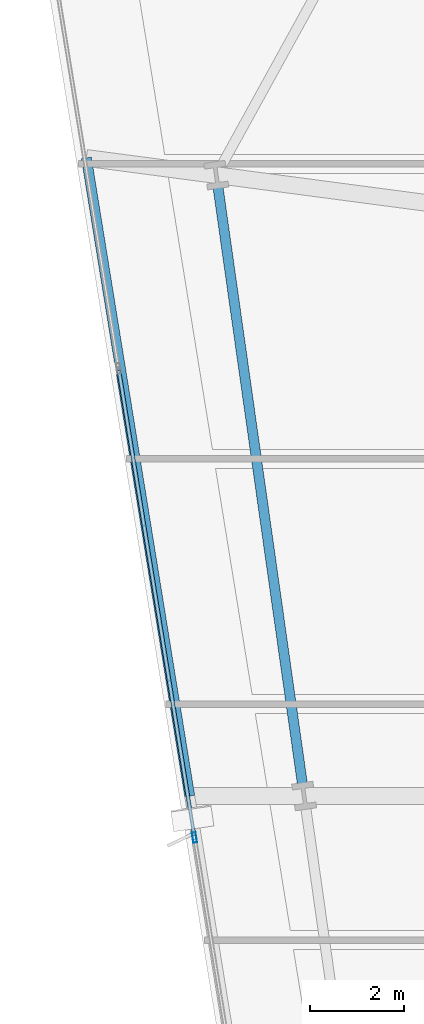
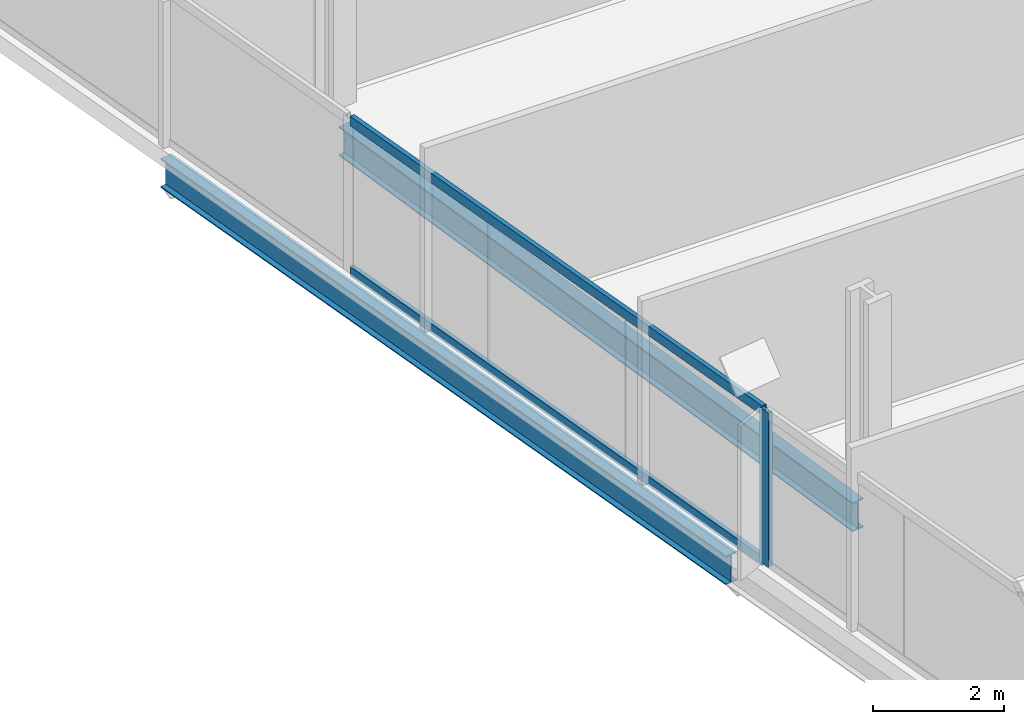
# One storey, part 7 of 33: 3 members, 2 beams, 1 element without a shape of its own.
"""IFC4 building model written with IfcOpenShell, lengths in metres."""

from ifc_helpers import new_model, si_unit, direction, frame, origin, origin_2d, place, context, subcontext, project, spatial, hollow_rectangle, i_section, extrude, material, material_profile, profile_set, type_object, element, aggregate, save


model = new_model("IFC4")

# Units and contexts
model_context = context("Model", 3, precision=1e-05, world=origin(), true_north=direction((0.0, 1.0)))
body_context = subcontext(model_context, "Body", "Model", "MODEL_VIEW")
ifc_project = project(units=[si_unit("LENGTHUNIT", "METRE"), si_unit("AREAUNIT", "SQUARE_METRE"), si_unit("VOLUMEUNIT", "CUBIC_METRE"), si_unit("PLANEANGLEUNIT", "RADIAN"), si_unit("MASSUNIT", "GRAM", prefix="KILO")], contexts=[model_context])

# Site, building, storey
site_placement = place(None, origin())
site = spatial("IfcSite", under=ifc_project, at=site_placement, CompositionType="ELEMENT")
building_placement = place(site_placement, origin())
building = spatial("IfcBuilding", under=site, at=building_placement, Name="Haldenkirk Collegiate Tower", CompositionType="ELEMENT")
storey_placement = place(building_placement, frame((0.0, 0.0, 58.949951171875)))
storey = spatial("IfcBuildingStorey", under=building, at=storey_placement, Name="L13", CompositionType="ELEMENT", Elevation=58.949951171875)

# Beams
ifc_material_1 = material(Name="Steel ASTM A992 Grade 50", Category="steel")
ifc_material_profile_1 = material_profile(ifc_material_1, i_section(OverallWidth=0.2119140625, OverallDepth=0.5439453125, WebThickness=0.01318359375, FlangeThickness=0.021240234375, at=origin_2d()), Name="W21X83")
ifc_profile_set_1 = profile_set([ifc_material_profile_1], Name="Steel ASTM A992 Grade 50")
beam_type = type_object("IfcBeamType", Name="BM-SPANDREL-W21X83", PredefinedType="SPANDREL", material=ifc_profile_set_1)
beam_1_placement = place(storey_placement, frame((10.30322265625, 35.951171875, -0.58203125), z_axis=(0.140049989419, -0.990144434143, 0.0), x_axis=(0.990144434143, 0.140049989419, 0.0)))
element("IfcBeam", 1, at=beam_1_placement, inside=storey, type_object=beam_type, Name="L13 perimeter spandrel beam 14", PredefinedType="SPANDREL", context=body_context, shape_type="SweptSolid", body=[
    extrude(i_section(OverallWidth=0.2119140625, OverallDepth=0.5439453125, WebThickness=0.01318359375, FlangeThickness=0.021240234375, at=origin_2d()), origin(), (0.0, 0.0, 1.0), 12.76220703125),
])
beam_2_placement = place(storey_placement, frame((7.512451171875, 36.5771484375, -0.58203125), z_axis=(0.159880627921, -0.987136355736, 0.0), x_axis=(0.987136355736, 0.159880627921, 0.0)))
element("IfcBeam", 2, at=beam_2_placement, inside=storey, type_object=beam_type, Name="L13 outer facade edge beam 4A", PredefinedType="SPANDREL", context=body_context, shape_type="SweptSolid", body=[
    extrude(i_section(OverallWidth=0.2119140625, OverallDepth=0.5439453125, WebThickness=0.01318359375, FlangeThickness=0.021240234375, at=origin_2d()), origin(), (0.0, 0.0, 1.0), 13.700439453125),
])

# Curtain wall, members
ifc_material_2 = material(Name="Anodised architectural bronze aluminium", Category="aluminium")
curtain_wall_type = type_object("IfcCurtainWallType", Name="CW-SYS1-CONVEX-LOW", PredefinedType="USERDEFINED", material=ifc_material_2)
curtain_wall_placement = place(storey_placement, origin())
curtain_wall = element("IfcCurtainWall", 3, at=curtain_wall_placement, inside=storey, type_object=curtain_wall_type, Name="L13 Lower tower convex bronze-framed unitised curtain wall", ObjectType="UNITISED CURTAIN WALL", PredefinedType="USERDEFINED")
ifc_material_profile_2 = material_profile(ifc_material_2, hollow_rectangle(XDim=0.080078125, YDim=0.219970703125, WallThickness=0.0048828125, at=origin_2d()), Name="CW-MUL-1A")
ifc_profile_set_2 = profile_set([ifc_material_profile_2], Name="Anodised architectural bronze aluminium")
member_type_1 = type_object("IfcMemberType", Name="CW-MUL-1A", PredefinedType="MULLION", material=ifc_profile_set_2)
member_1_placement = place(storey_placement, frame((9.8046875, 22.175048828125, 0.0), z_axis=(0.0, 0.0, 1.0), x_axis=(-0.987136314905, -0.15988088002, 0.0)))
member_1 = element("IfcMember", 4, at=member_1_placement, type_object=member_type_1, Name="CW-1A mullion 3", PredefinedType="MULLION", context=body_context, shape_type="SweptSolid", body=[
    extrude(hollow_rectangle(XDim=0.080078125, YDim=0.219970703125, WallThickness=0.0048828125, at=origin_2d()), origin(), (0.0, 0.0, 1.0), 2.89111328125),
])
ifc_material_profile_3 = material_profile(ifc_material_2, hollow_rectangle(XDim=0.080078125, YDim=0.179931640625, WallThickness=0.0048828125, at=origin_2d()), Name="CW-TRN-1A")
ifc_profile_set_3 = profile_set([ifc_material_profile_3], Name="Anodised architectural bronze aluminium")
member_type_2 = type_object("IfcMemberType", Name="CW-TRN-1A", PredefinedType="USERDEFINED", material=ifc_profile_set_3)
member_2_placement = place(storey_placement, frame((9.798095703125, 22.214599609375, 0.0400390625), z_axis=(-0.159870979599, 0.987137918369, 0.0), x_axis=(-0.987137918369, -0.159870979599, 0.0)))
member_2 = element("IfcMember", 5, at=member_2_placement, type_object=member_type_2, Name="CW-1A transom 3.1", ObjectType="TRANSOM", PredefinedType="USERDEFINED", context=body_context, shape_type="SweptSolid", body=[
    extrude(hollow_rectangle(XDim=0.080078125, YDim=0.179931640625, WallThickness=0.0048828125, at=origin_2d()), origin(), (0.0, 0.0, 1.0), 9.98876953125),
])
member_3_placement = place(storey_placement, frame((9.798095703125, 22.214599609375, 2.85107421875), z_axis=(-0.159870979599, 0.987137918369, 0.0), x_axis=(-0.987137918369, -0.159870979599, 0.0)))
member_3 = element("IfcMember", 6, at=member_3_placement, type_object=member_type_2, Name="CW-1A transom 3.2", ObjectType="TRANSOM", PredefinedType="USERDEFINED", context=body_context, shape_type="SweptSolid", body=[
    extrude(hollow_rectangle(XDim=0.080078125, YDim=0.179931640625, WallThickness=0.0048828125, at=origin_2d()), origin(), (0.0, 0.0, 1.0), 9.98876953125),
])
aggregate(curtain_wall, [member_1, member_2, member_3])

save(model, "model.ifc")
